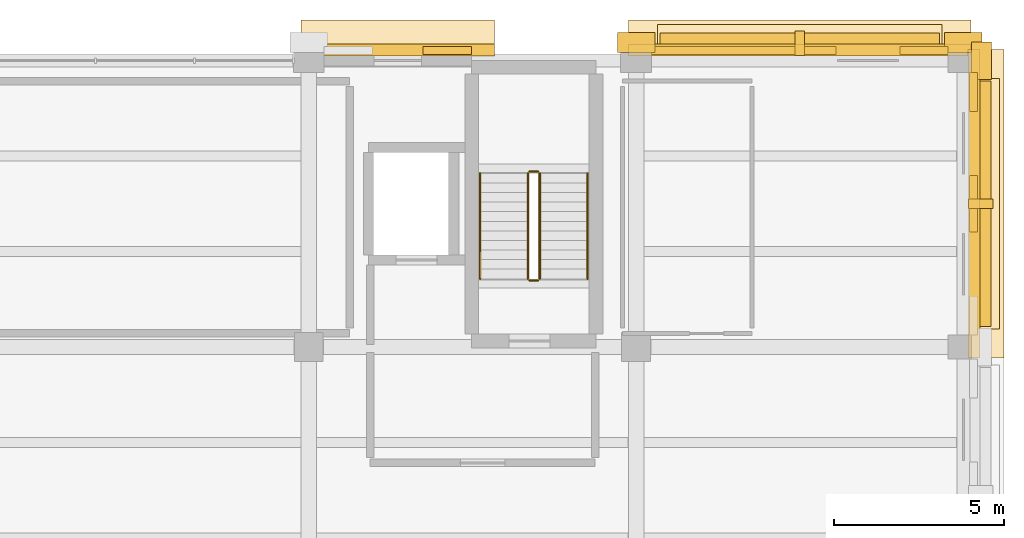
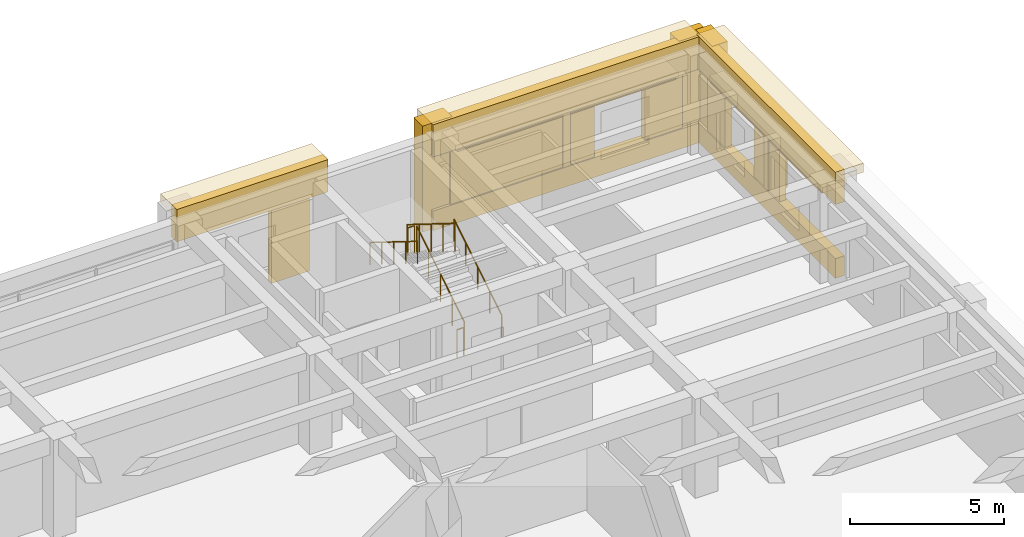
# One storey, part 17 of 17: 20 coverings, 6 railings, 2 shading devices.
"""IFC4 building model written with IfcOpenShell, lengths in metres."""

from ifc_helpers import new_model, si_unit, direction, frame, origin, origin_2d, place, context, subcontext, project, spatial, rectangle, circle, extrude, material, layer, layer_set, type_object, element, save


model = new_model("IFC4")

# Units and contexts
model_context = context("Model", 3, precision=1e-05, world=origin(), true_north=direction((0.0, 1.0)))
body_context = subcontext(model_context, "Body", "Model", "MODEL_VIEW")
ifc_project = project(units=[si_unit("LENGTHUNIT", "METRE"), si_unit("AREAUNIT", "SQUARE_METRE"), si_unit("VOLUMEUNIT", "CUBIC_METRE"), si_unit("PLANEANGLEUNIT", "RADIAN"), si_unit("MASSUNIT", "GRAM", prefix="KILO")], contexts=[model_context])

# Site, building, storey
site_placement = place(None, origin())
site = spatial("IfcSite", under=ifc_project, at=site_placement, CompositionType="ELEMENT")
building_placement = place(site_placement, origin())
building = spatial("IfcBuilding", under=site, at=building_placement, Name="Bempovik Park Faculty of Sciences", CompositionType="ELEMENT")
storey_placement = place(building_placement, frame((0.0, 0.0, 22.5)))
storey = spatial("IfcBuildingStorey", under=building, at=storey_placement, Name="L05", CompositionType="ELEMENT", Elevation=22.5)

# Coverings
ifc_material_1 = material(Name="Precast concrete C40/50", Category="concrete")
ifc_layer_1 = layer(ifc_material_1, 0.179931640625)
ifc_layer_set_1 = layer_set([ifc_layer_1], Name="Precast concrete C40/50")
covering_type_1 = type_object("IfcCoveringType", Name="CL-02 Classical Cornice Band 180mm", PredefinedType="CLADDING", material=ifc_layer_set_1)
covering_1_placement = place(storey_placement, frame((101.012939453125, 120.06494140625, 3.83984375), z_axis=(0.0, 0.0, 1.0), x_axis=(1.0, 0.0, 0.0)))
element("IfcCovering", 1, at=covering_1_placement, inside=storey, type_object=covering_type_1, Name="L05 Classical Projecting Dentil Cornice EW-L05-10202", PredefinedType="CLADDING", context=body_context, shape_type="SweptSolid", body=[
    extrude(rectangle(XDim=5.672119140625, YDim=1.050048828125, at=origin_2d()), origin(), (0.0, 0.0, 1.0), 0.360107421875),
])
covering_2_placement = place(storey_placement, frame((112.800048828125, 120.06494140625, 3.83984375), z_axis=(0.0, 0.0, 1.0), x_axis=(1.0, 0.0, 0.0)))
element("IfcCovering", 2, at=covering_2_placement, inside=storey, type_object=covering_type_1, Name="L05 Classical Projecting Dentil Cornice EW-L05-10210", PredefinedType="CLADDING", context=body_context, shape_type="SweptSolid", body=[
    extrude(rectangle(XDim=10.0458984375, YDim=1.050048828125, at=origin_2d()), origin(), (0.0, 0.0, 1.0), 0.360107421875),
])
covering_3_placement = place(storey_placement, frame((112.800048828125, 120.0, 2.85986328125), z_axis=(0.0, 0.0, 1.0), x_axis=(1.0, 0.0, 0.0)))
element("IfcCovering", 3, at=covering_3_placement, inside=storey, type_object=covering_type_1, Name="L05 Classical Stone Solar Window Hood EW-L05-10210", PredefinedType="CLADDING", context=body_context, shape_type="SweptSolid", body=[
    extrude(rectangle(XDim=8.345947265625, YDim=0.919921875, at=origin_2d()), origin(), (0.0, 0.0, 1.0), 0.219970703125),
])
covering_4_placement = place(storey_placement, frame((118.264892578125, 115.199951171875, 3.83984375), z_axis=(0.0, 0.0, 1.0), x_axis=(1.0, 0.0, 0.0)))
element("IfcCovering", 4, at=covering_4_placement, inside=storey, type_object=covering_type_1, Name="L05 Classical Projecting Dentil Cornice EW-L05-10261", PredefinedType="CLADDING", context=body_context, shape_type="SweptSolid", body=[
    extrude(rectangle(XDim=1.050048828125, YDim=9.0458984375, at=origin_2d()), origin(), (0.0, 0.0, 1.0), 0.360107421875),
])
covering_5_placement = place(storey_placement, frame((118.199951171875, 115.199951171875, 2.85986328125), z_axis=(0.0, 0.0, 1.0), x_axis=(1.0, 0.0, 0.0)))
element("IfcCovering", 5, at=covering_5_placement, inside=storey, type_object=covering_type_1, Name="L05 Classical Stone Solar Window Hood EW-L05-10261", PredefinedType="CLADDING", context=body_context, shape_type="SweptSolid", body=[
    extrude(rectangle(XDim=0.919921875, YDim=7.345947265625, at=origin_2d()), origin(), (0.0, 0.0, 1.0), 0.219970703125),
])
ifc_material_2 = material(Name="White reconstituted limestone precast C40/50", Category="masonry")
ifc_layer_2 = layer(ifc_material_2, 0.239990234375)
ifc_layer_set_2 = layer_set([ifc_layer_2], Name="White reconstituted limestone precast C40/50")
covering_type_2 = type_object("IfcCoveringType", Name="CL-03 Classical Fluted Limestone Pilaster 240mm", PredefinedType="CLADDING", material=ifc_layer_set_2)
covering_6_placement = place(storey_placement, frame((101.012939453125, 119.7099609375, 2.919921875), z_axis=(0.0, 0.0, 1.0), x_axis=(1.0, 0.0, 0.0)))
element("IfcCovering", 6, at=covering_6_placement, inside=storey, type_object=covering_type_2, Name="L05 Classical Limestone Spandrel Entablature EW-L05-10202", PredefinedType="CLADDING", context=body_context, shape_type="SweptSolid", body=[
    extrude(rectangle(XDim=5.672119140625, YDim=0.340087890625, at=origin_2d()), origin(), (0.0, 0.0, 1.0), 1.280029296875),
])
covering_7_placement = place(storey_placement, frame((108.0, 119.929931640625, 0.0), z_axis=(0.0, 0.0, 1.0), x_axis=(1.0, 0.0, 0.0)))
element("IfcCovering", 7, at=covering_7_placement, inside=storey, type_object=covering_type_2, Name="L05 Classical Fluted Stone Pilaster PIL-BA-L05-1080-1199", PredefinedType="CLADDING", context=body_context, shape_type="SweptSolid", body=[
    extrude(rectangle(XDim=1.10009765625, YDim=0.580078125, at=origin_2d()), origin(), (0.0, 0.0, 1.0), 4.199951171875),
])
covering_8_placement = place(storey_placement, frame((102.46337890625, 119.699951171875, 0.0), z_axis=(0.0, 0.0, 1.0), x_axis=(1.0, 0.0, 0.0)))
element("IfcCovering", 8, at=covering_8_placement, inside=storey, type_object=covering_type_2, Name="L05 Stairwell White Limestone Cheek EW-L05-10202-2", PredefinedType="CLADDING", context=body_context, shape_type="SweptSolid", body=[
    extrude(rectangle(XDim=1.4208984375, YDim=0.239990234375, at=origin_2d()), origin(), (0.0, 0.0, 1.0), 3.080078125),
])
covering_9_placement = place(storey_placement, frame((112.800048828125, 119.7099609375, 2.919921875), z_axis=(0.0, 0.0, 1.0), x_axis=(1.0, 0.0, 0.0)))
element("IfcCovering", 9, at=covering_9_placement, inside=storey, type_object=covering_type_2, Name="L05 Classical Limestone Spandrel Entablature EW-L05-10210", PredefinedType="CLADDING", context=body_context, shape_type="SweptSolid", body=[
    extrude(rectangle(XDim=10.0458984375, YDim=0.340087890625, at=origin_2d()), origin(), (0.0, 0.0, 1.0), 1.280029296875),
])
covering_10_placement = place(storey_placement, frame((112.800048828125, 119.7099609375, 0.0), z_axis=(0.0, 0.0, 1.0), x_axis=(1.0, 0.0, 0.0)))
element("IfcCovering", 10, at=covering_10_placement, inside=storey, type_object=covering_type_2, Name="L05 Classical Limestone Sill Dado EW-L05-10210", PredefinedType="CLADDING", context=body_context, shape_type="SweptSolid", body=[
    extrude(rectangle(XDim=10.0458984375, YDim=0.340087890625, at=origin_2d()), origin(), (0.0, 0.0, 1.0), 0.780029296875),
])
covering_11_placement = place(storey_placement, frame((117.60009765625, 119.929931640625, 0.0), z_axis=(0.0, 0.0, 1.0), x_axis=(1.0, 0.0, 0.0)))
element("IfcCovering", 11, at=covering_11_placement, inside=storey, type_object=covering_type_2, Name="L05 Classical Fluted Stone Pilaster PIL-BA-L05-1176-1199", PredefinedType="CLADDING", context=body_context, shape_type="SweptSolid", body=[
    extrude(rectangle(XDim=1.10009765625, YDim=0.580078125, at=origin_2d()), origin(), (0.0, 0.0, 1.0), 4.199951171875),
])
covering_12_placement = place(storey_placement, frame((111.156005859375, 119.699951171875, 0.0), z_axis=(0.0, 0.0, 1.0), x_axis=(1.0, 0.0, 0.0)))
element("IfcCovering", 12, at=covering_12_placement, inside=storey, type_object=covering_type_2, Name="L05 White Limestone Wall Cheek EW-L05-10210-0", PredefinedType="CLADDING", context=body_context, shape_type="SweptSolid", body=[
    extrude(rectangle(XDim=5.408203125, YDim=0.239990234375, at=origin_2d()), origin(), (0.0, 0.0, 1.0), 3.080078125),
])
covering_13_placement = place(storey_placement, frame((116.444091796875, 119.699951171875, 0.0), z_axis=(0.0, 0.0, 1.0), x_axis=(1.0, 0.0, 0.0)))
element("IfcCovering", 13, at=covering_13_placement, inside=storey, type_object=covering_type_2, Name="L05 White Limestone Wall Cheek EW-L05-10210-2", PredefinedType="CLADDING", context=body_context, shape_type="SweptSolid", body=[
    extrude(rectangle(XDim=1.407958984375, YDim=0.239990234375, at=origin_2d()), origin(), (0.0, 0.0, 1.0), 3.080078125),
])
covering_14_placement = place(storey_placement, frame((112.800048828125, 119.909912109375, 0.7001953125), z_axis=(0.0, 0.0, 1.0), x_axis=(1.0, 0.0, 0.0)))
element("IfcCovering", 14, at=covering_14_placement, inside=storey, type_object=covering_type_2, Name="L05 Classical Vertical Stone Shading Fin EW-L05-10210", PredefinedType="CLADDING", context=body_context, shape_type="SweptSolid", body=[
    extrude(rectangle(XDim=0.280029296875, YDim=0.719970703125, at=origin_2d()), origin(), (0.0, 0.0, 1.0), 2.199951171875),
])
covering_15_placement = place(storey_placement, frame((117.909912109375, 115.199951171875, 2.919921875), z_axis=(0.0, 0.0, 1.0), x_axis=(1.0, 0.0, 0.0)))
element("IfcCovering", 15, at=covering_15_placement, inside=storey, type_object=covering_type_2, Name="L05 Classical Limestone Spandrel Entablature EW-L05-10261", PredefinedType="CLADDING", context=body_context, shape_type="SweptSolid", body=[
    extrude(rectangle(XDim=0.340087890625, YDim=9.0458984375, at=origin_2d()), origin(), (0.0, 0.0, 1.0), 1.280029296875),
])
covering_16_placement = place(storey_placement, frame((117.909912109375, 115.199951171875, 0.0), z_axis=(0.0, 0.0, 1.0), x_axis=(1.0, 0.0, 0.0)))
element("IfcCovering", 16, at=covering_16_placement, inside=storey, type_object=covering_type_2, Name="L05 Classical Limestone Sill Dado EW-L05-10261", PredefinedType="CLADDING", context=body_context, shape_type="SweptSolid", body=[
    extrude(rectangle(XDim=0.340087890625, YDim=9.0458984375, at=origin_2d()), origin(), (0.0, 0.0, 1.0), 0.780029296875),
])
covering_17_placement = place(storey_placement, frame((118.1298828125, 119.39990234375, 0.0), z_axis=(0.0, 0.0, 1.0), x_axis=(1.0, 0.0, 0.0)))
element("IfcCovering", 17, at=covering_17_placement, inside=storey, type_object=covering_type_2, Name="L05 Classical Fluted Stone Pilaster PIL-BA-L05-1181-1194", PredefinedType="CLADDING", context=body_context, shape_type="SweptSolid", body=[
    extrude(rectangle(XDim=0.580078125, YDim=1.10009765625, at=origin_2d()), origin(), (0.0, 0.0, 1.0), 4.199951171875),
])
covering_18_placement = place(storey_placement, frame((117.89990234375, 115.199951171875, 0.0), z_axis=(0.0, 0.0, 1.0), x_axis=(1.0, 0.0, 0.0)))
element("IfcCovering", 18, at=covering_18_placement, inside=storey, type_object=covering_type_2, Name="L05 White Limestone Wall Cheek EW-L05-10261-2", PredefinedType="CLADDING", context=body_context, shape_type="SweptSolid", body=[
    extrude(rectangle(XDim=0.239990234375, YDim=1.66015625, at=origin_2d()), origin(), (0.0, 0.0, 1.0), 3.080078125),
])
covering_19_placement = place(storey_placement, frame((117.89990234375, 118.47900390625, 0.0), z_axis=(0.0, 0.0, 1.0), x_axis=(1.0, 0.0, 0.0)))
element("IfcCovering", 19, at=covering_19_placement, inside=storey, type_object=covering_type_2, Name="L05 White Limestone Wall Cheek EW-L05-10261-4", PredefinedType="CLADDING", context=body_context, shape_type="SweptSolid", body=[
    extrude(rectangle(XDim=0.239990234375, YDim=1.137939453125, at=origin_2d()), origin(), (0.0, 0.0, 1.0), 3.080078125),
])
covering_20_placement = place(storey_placement, frame((118.110107421875, 115.199951171875, 0.7001953125), z_axis=(0.0, 0.0, 1.0), x_axis=(1.0, 0.0, 0.0)))
element("IfcCovering", 20, at=covering_20_placement, inside=storey, type_object=covering_type_2, Name="L05 Classical Vertical Stone Shading Fin EW-L05-10261", PredefinedType="CLADDING", context=body_context, shape_type="SweptSolid", body=[
    extrude(rectangle(XDim=0.719970703125, YDim=0.280029296875, at=origin_2d()), origin(), (0.0, 0.0, 1.0), 2.199951171875),
])

# Railings
ifc_material_3 = material(Name="Anodised architectural bronze")
railing_type_1 = type_object("IfcRailingType", Name="GR-01 Guardrail 1120mm", PredefinedType="GUARDRAIL", material=ifc_material_3)
railing_1_placement = place(storey_placement, frame((105.175048828125, 113.0, 0.175048828125)))
element("IfcRailing", 21, at=railing_1_placement, inside=storey, type_object=railing_type_1, Name="L05 ST-2 Stair Guard 1", PredefinedType="GUARDRAIL", context=body_context, shape_type="SweptSolid", body=[
    extrude(circle(Radius=0.02392578125, at=origin_2d()), frame((0.0, 0.0, 1.09619140625), z_axis=(0.0, 0.84905059285, 0.528311547082), x_axis=(-1.0, 0.0, 0.0)), (0.0, 0.0, 1.0), 3.643798828125),
    extrude(circle(Radius=0.02099609375, at=origin_2d()), origin(), (0.0, 0.0, 1.0), 1.072021484375),
    extrude(circle(Radius=0.02099609375, at=origin_2d()), frame((0.0, 0.7734375, 0.481201171875)), (0.0, 0.0, 1.0), 1.072021484375),
    extrude(circle(Radius=0.02099609375, at=origin_2d()), frame((0.0, 1.546875, 0.96240234375)), (0.0, 0.0, 1.0), 1.072021484375),
    extrude(circle(Radius=0.02099609375, at=origin_2d()), frame((0.0, 2.3203125, 1.44384765625)), (0.0, 0.0, 1.0), 1.072021484375),
    extrude(circle(Radius=0.02099609375, at=origin_2d()), frame((0.0, 3.09375, 1.925048828125)), (0.0, 0.0, 1.0), 1.072021484375),
])
railing_2_placement = place(storey_placement, frame((105.125, 116.143798828125, 2.10009765625)))
element("IfcRailing", 22, at=railing_2_placement, inside=storey, type_object=railing_type_1, Name="L05 ST-2 Stair Guard 2", PredefinedType="GUARDRAIL", context=body_context, shape_type="SweptSolid", body=[
    extrude(circle(Radius=0.02392578125, at=origin_2d()), frame((0.0, 0.0, 1.09619140625), z_axis=(-1.0, 0.0, 0.0), x_axis=(0.0, -1.0, 0.0)), (0.0, 0.0, 1.0), 0.25),
    extrude(circle(Radius=0.02099609375, at=origin_2d()), origin(), (0.0, 0.0, 1.0), 1.072021484375),
    extrude(circle(Radius=0.02099609375, at=origin_2d()), frame((-0.25, 0.0, 0.0)), (0.0, 0.0, 1.0), 1.072021484375),
])
railing_3_placement = place(storey_placement, frame((104.824951171875, 116.09375, 2.27490234375)))
element("IfcRailing", 23, at=railing_3_placement, inside=storey, type_object=railing_type_1, Name="L05 ST-2 Stair Guard 3", PredefinedType="GUARDRAIL", context=body_context, shape_type="SweptSolid", body=[
    extrude(circle(Radius=0.02392578125, at=origin_2d()), frame((0.0, 0.0, 1.09619140625), z_axis=(0.0, -0.84905059285, 0.528311547082), x_axis=(1.0, 0.0, 0.0)), (0.0, 0.0, 1.0), 3.643798828125),
    extrude(circle(Radius=0.02099609375, at=origin_2d()), origin(), (0.0, 0.0, 1.0), 1.072021484375),
    extrude(circle(Radius=0.02099609375, at=origin_2d()), frame((0.0, -0.7734375, 0.481201171875)), (0.0, 0.0, 1.0), 1.072021484375),
    extrude(circle(Radius=0.02099609375, at=origin_2d()), frame((0.0, -1.546875, 0.96240234375)), (0.0, 0.0, 1.0), 1.072021484375),
    extrude(circle(Radius=0.02099609375, at=origin_2d()), frame((0.0, -2.3203125, 1.44384765625)), (0.0, 0.0, 1.0), 1.072021484375),
    extrude(circle(Radius=0.02099609375, at=origin_2d()), frame((0.0, -3.09375, 1.925048828125)), (0.0, 0.0, 1.0), 1.072021484375),
])
railing_4_placement = place(storey_placement, frame((105.125, 112.949951171875, 0.0)))
element("IfcRailing", 24, at=railing_4_placement, inside=storey, type_object=railing_type_1, Name="L05 ST-2 Stair Guard 4", PredefinedType="GUARDRAIL", context=body_context, shape_type="SweptSolid", body=[
    extrude(circle(Radius=0.02392578125, at=origin_2d()), frame((0.0, 0.0, 1.09619140625), z_axis=(-1.0, 0.0, 0.0), x_axis=(0.0, -1.0, 0.0)), (0.0, 0.0, 1.0), 0.25),
    extrude(circle(Radius=0.02099609375, at=origin_2d()), origin(), (0.0, 0.0, 1.0), 1.072021484375),
    extrude(circle(Radius=0.02099609375, at=origin_2d()), frame((-0.25, 0.0, 0.0)), (0.0, 0.0, 1.0), 1.072021484375),
])
railing_type_2 = type_object("IfcRailingType", Name="HR-01 Wall Handrail 900mm", PredefinedType="HANDRAIL", material=ifc_material_3)
railing_5_placement = place(storey_placement, frame((106.574951171875, 113.0, 0.175048828125)))
element("IfcRailing", 25, at=railing_5_placement, inside=storey, type_object=railing_type_2, Name="L05 ST-2 Stair Handrail 1", PredefinedType="HANDRAIL", context=body_context, shape_type="SweptSolid", body=[
    extrude(circle(Radius=0.02392578125, at=origin_2d()), frame((0.0, 0.0, 0.8759765625), z_axis=(0.0, 0.84905059285, 0.528311547082), x_axis=(-1.0, 0.0, 0.0)), (0.0, 0.0, 1.0), 3.643798828125),
    extrude(circle(Radius=0.02099609375, at=origin_2d()), origin(), (0.0, 0.0, 1.0), 0.851806640625),
    extrude(circle(Radius=0.02099609375, at=origin_2d()), frame((0.0, 0.7734375, 0.481201171875)), (0.0, 0.0, 1.0), 0.851806640625),
    extrude(circle(Radius=0.02099609375, at=origin_2d()), frame((0.0, 1.546875, 0.96240234375)), (0.0, 0.0, 1.0), 0.851806640625),
    extrude(circle(Radius=0.02099609375, at=origin_2d()), frame((0.0, 2.3203125, 1.44384765625)), (0.0, 0.0, 1.0), 0.851806640625),
    extrude(circle(Radius=0.02099609375, at=origin_2d()), frame((0.0, 3.09375, 1.925048828125)), (0.0, 0.0, 1.0), 0.851806640625),
])
railing_6_placement = place(storey_placement, frame((103.425048828125, 116.09375, 2.27490234375)))
element("IfcRailing", 26, at=railing_6_placement, inside=storey, type_object=railing_type_2, Name="L05 ST-2 Stair Handrail 2", PredefinedType="HANDRAIL", context=body_context, shape_type="SweptSolid", body=[
    extrude(circle(Radius=0.02392578125, at=origin_2d()), frame((0.0, 0.0, 0.8759765625), z_axis=(0.0, -0.84905059285, 0.528311547082), x_axis=(1.0, 0.0, 0.0)), (0.0, 0.0, 1.0), 3.643798828125),
    extrude(circle(Radius=0.02099609375, at=origin_2d()), origin(), (0.0, 0.0, 1.0), 0.851806640625),
    extrude(circle(Radius=0.02099609375, at=origin_2d()), frame((0.0, -0.7734375, 0.481201171875)), (0.0, 0.0, 1.0), 0.851806640625),
    extrude(circle(Radius=0.02099609375, at=origin_2d()), frame((0.0, -1.546875, 0.96240234375)), (0.0, 0.0, 1.0), 0.851806640625),
    extrude(circle(Radius=0.02099609375, at=origin_2d()), frame((0.0, -2.3203125, 1.44384765625)), (0.0, 0.0, 1.0), 0.851806640625),
    extrude(circle(Radius=0.02099609375, at=origin_2d()), frame((0.0, -3.09375, 1.925048828125)), (0.0, 0.0, 1.0), 0.851806640625),
])

# Shading devices
ifc_layer_3 = layer(ifc_material_3, 0.06005859375)
ifc_layer_set_3 = layer_set([ifc_layer_3], Name="Anodised architectural bronze")
shading_device_type = type_object("IfcShadingDeviceType", Name="SH-01 Bronze Brise-Soleil Fin", PredefinedType="USERDEFINED", material=ifc_layer_set_3)
shading_device_1_placement = place(storey_placement, frame((112.800048828125, 119.8798828125, 2.800048828125), z_axis=(0.0, 0.0, 1.0), x_axis=(1.0, 0.0, 0.0)))
element("IfcShadingDevice", 27, at=shading_device_1_placement, inside=storey, type_object=shading_device_type, Name="L05 Equatorial Bronze Brise-Soleil EW-L05-10210", ObjectType="BRISE SOLEIL", PredefinedType="USERDEFINED", context=body_context, shape_type="SweptSolid", body=[
    extrude(rectangle(XDim=8.196044921875, YDim=0.64990234375, at=origin_2d()), origin(), (0.0, 0.0, 1.0), 0.06005859375),
])
shading_device_2_placement = place(storey_placement, frame((118.080078125, 115.199951171875, 2.800048828125), z_axis=(0.0, 0.0, 1.0), x_axis=(1.0, 0.0, 0.0)))
element("IfcShadingDevice", 28, at=shading_device_2_placement, inside=storey, type_object=shading_device_type, Name="L05 Equatorial Bronze Brise-Soleil EW-L05-10261", ObjectType="BRISE SOLEIL", PredefinedType="USERDEFINED", context=body_context, shape_type="SweptSolid", body=[
    extrude(rectangle(XDim=0.64990234375, YDim=7.196044921875, at=origin_2d()), origin(), (0.0, 0.0, 1.0), 0.06005859375),
])

save(model, "model.ifc")
